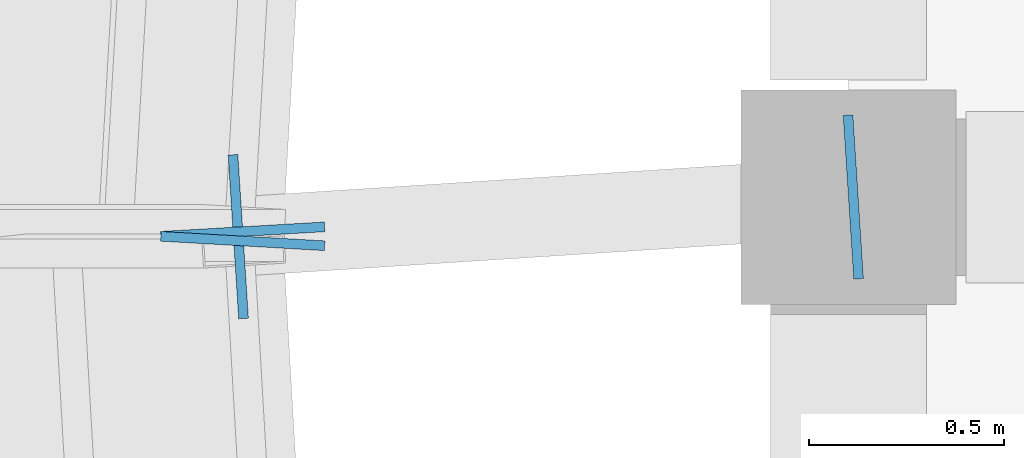
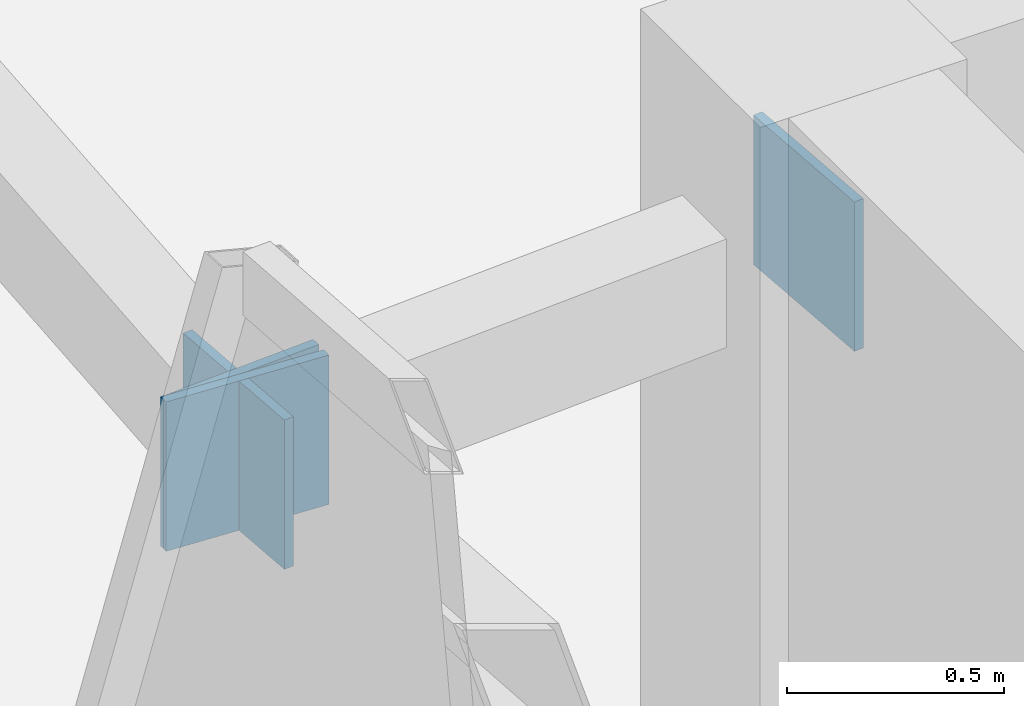
# One storey, part 46 of 67: 4 plates.
"""IFC4 building model written with IfcOpenShell, lengths in metres."""

from ifc_helpers import new_model, si_unit, direction, frame, origin, origin_2d, place, context, subcontext, project, spatial, rectangle, extrude, material, layer, layer_set, type_object, element, save


model = new_model("IFC4")

# Units and contexts
model_context = context("Model", 3, precision=1e-05, world=origin(), true_north=direction((0.0, 1.0)))
body_context = subcontext(model_context, "Body", "Model", "MODEL_VIEW")
ifc_project = project(units=[si_unit("LENGTHUNIT", "METRE"), si_unit("AREAUNIT", "SQUARE_METRE"), si_unit("VOLUMEUNIT", "CUBIC_METRE"), si_unit("PLANEANGLEUNIT", "RADIAN"), si_unit("MASSUNIT", "GRAM", prefix="KILO")], contexts=[model_context])

# Site, building, storey
site_placement = place(None, origin())
site = spatial("IfcSite", under=ifc_project, at=site_placement, CompositionType="ELEMENT")
building_placement = place(site_placement, origin())
building = spatial("IfcBuilding", under=site, at=building_placement, Name="Pellamere Symphony Hall", CompositionType="ELEMENT")
storey_placement = place(building_placement, frame((0.0, 0.0, 19.5)))
storey = spatial("IfcBuildingStorey", under=building, at=storey_placement, Name="L04", CompositionType="ELEMENT", Elevation=19.5)

# Plates
ifc_material = material(Name="Steel CSA G40.21 350W", Category="steel")
ifc_layer = layer(ifc_material, 0.02490234375, Name="Steel CSA G40.21 350W")
ifc_layer_set = layer_set([ifc_layer], Name="Steel CSA G40.21 350W")
plate_type = type_object("IfcPlateType", Name="Steel Connection Plate KP-01 420x420x25", PredefinedType="SHEET", material=ifc_layer_set)
for number, where, z_axis, x_axis, name in (
    (1, (48.849365234375, 46.087890625, 3.72998046875), (0.0, 0.0, 1.0), (-0.057215536424, -0.998361849427, 0.0), "Crystal Spandrel End Cap Plate CW-CR17-2 (L04)"),
    (2, (50.412109375, 46.20068359375, 3.72998046875), (0.0, 0.0, 1.0), (-0.997926866086, -0.064358138139, 0.0), "Outrigger End Cap Plate 115.1 (L04)"),
    (3, (48.837890625, 46.09912109375, 3.72998046875), (0.0, 0.0, 1.0), (-0.997926866086, -0.064358138139, 0.0), "Outrigger End Cap Plate 115.2 (L04)"),
    (4, (48.849365234375, 46.112060546875, 3.72998046875), (0.0, 0.0, 1.0), (0.05756402696, -0.998341816614, 0.0), "Crystal Spandrel End Cap Plate CW-CR18-1 (L04)"),
):
    element("IfcPlate", number, at=place(storey_placement, frame(where, z_axis=z_axis, x_axis=x_axis)), inside=storey, type_object=plate_type, Name=name, PredefinedType="SHEET", context=body_context, shape_type="SweptSolid", body=[
        extrude(rectangle(XDim=0.02490234375, YDim=0.419921875, at=origin_2d()), origin(), (0.0, 0.0, 1.0), 0.419921875),
    ])

save(model, "model.ifc")
